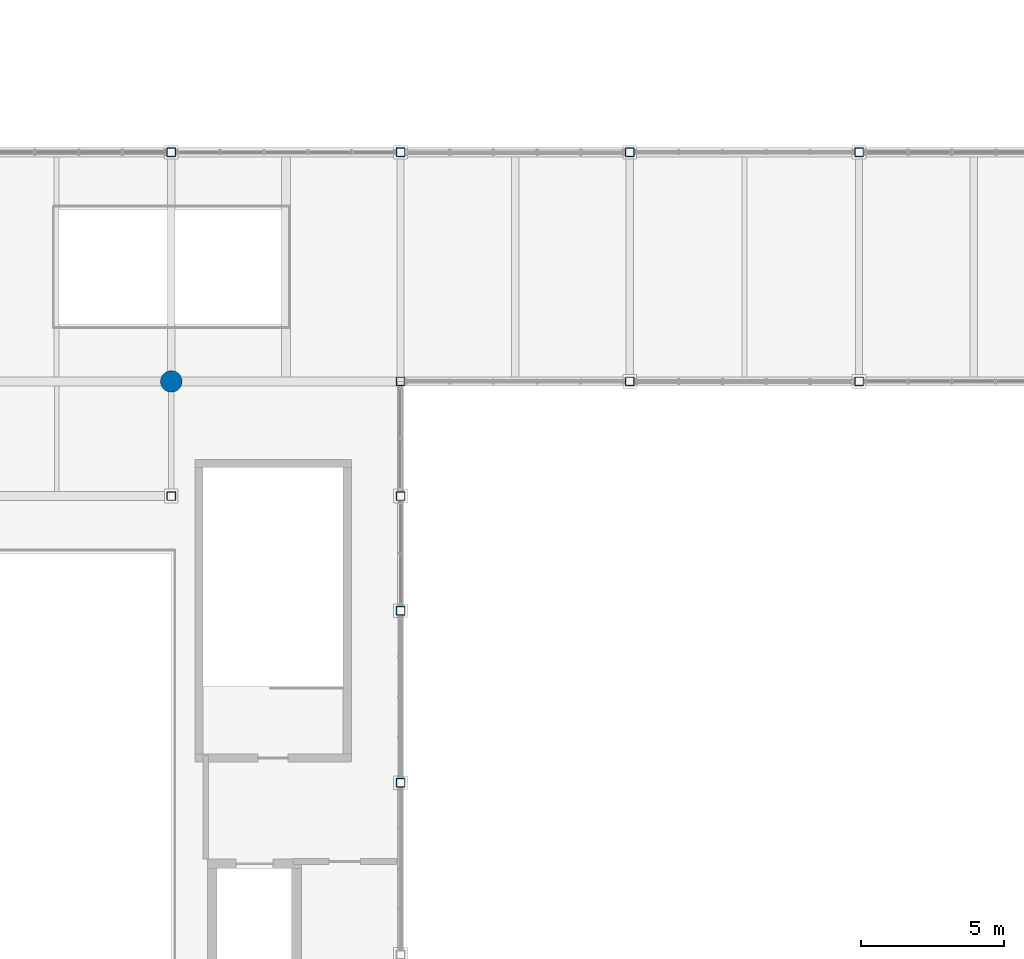
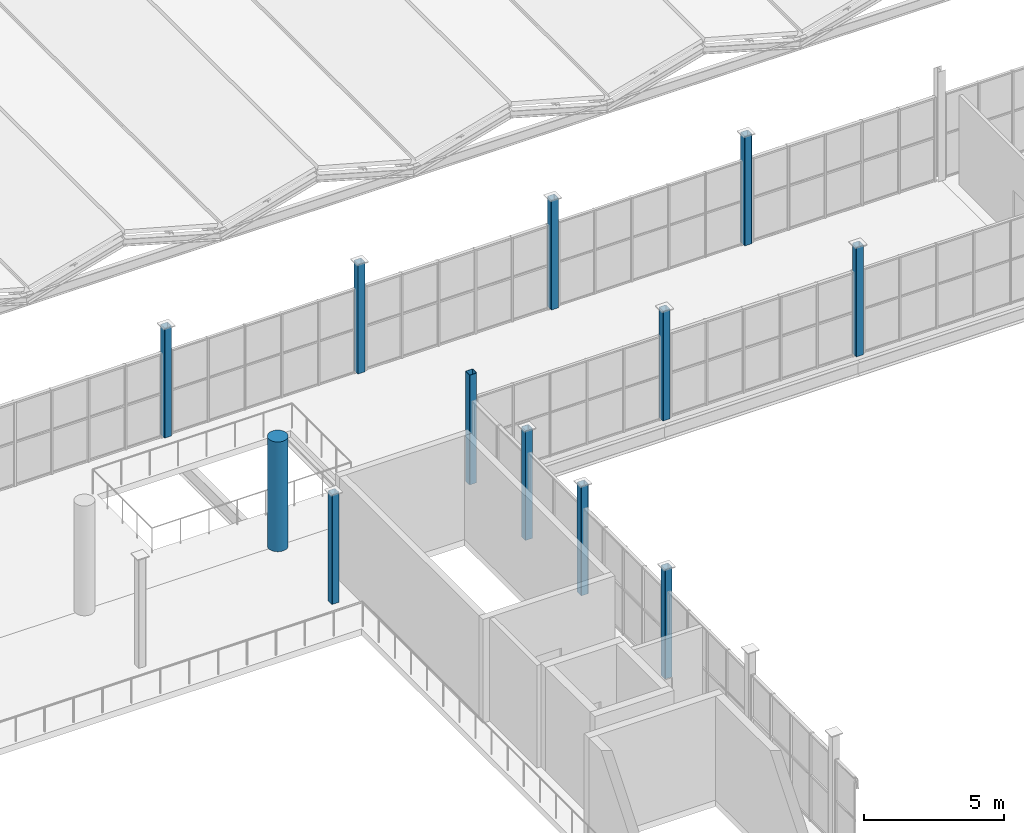
# One storey, part 8 of 114: 12 columns.
"""IFC4 building model written with IfcOpenShell, lengths in metres."""

from ifc_helpers import new_model, si_unit, direction, frame, origin, origin_2d, place, context, subcontext, project, spatial, hollow_rectangle, circle, extrude, material, material_profile, profile_set, type_object, element, save


model = new_model("IFC4")

# Units and contexts
model_context = context("Model", 3, precision=1e-05, world=origin(), true_north=direction((0.0, 1.0)))
body_context = subcontext(model_context, "Body", "Model", "MODEL_VIEW")
ifc_project = project(units=[si_unit("LENGTHUNIT", "METRE"), si_unit("AREAUNIT", "SQUARE_METRE"), si_unit("VOLUMEUNIT", "CUBIC_METRE"), si_unit("PLANEANGLEUNIT", "RADIAN"), si_unit("MASSUNIT", "GRAM", prefix="KILO")], contexts=[model_context])

# Site, building, storey
site_placement = place(None, origin())
site = spatial("IfcSite", under=ifc_project, at=site_placement, CompositionType="ELEMENT")
building_placement = place(site_placement, origin())
building = spatial("IfcBuilding", under=site, at=building_placement, Name="Verrall Gate Interchange", CompositionType="ELEMENT")
storey_placement = place(building_placement, frame((0.0, 0.0, 6.60009765625)))
storey = spatial("IfcBuildingStorey", under=building, at=storey_placement, Name="L02", CompositionType="ELEMENT", Elevation=6.60009765625)

# Columns
ifc_material_1 = material(Name="Concrete CSA A23.1 40 MPa (Class N)", Category="concrete")
ifc_material_profile_1 = material_profile(ifc_material_1, circle(Radius=0.375, at=origin_2d()), Name="RC750D")
ifc_profile_set_1 = profile_set([ifc_material_profile_1], Name="Concrete CSA A23.1 40 MPa (Class N)")
column_type_1 = type_object("IfcColumnType", Name="C-07 Column RC750D", PredefinedType="COLUMN", material=ifc_profile_set_1)
column_placement = place(storey_placement, frame((100.0, 48.0, 0.0), z_axis=(0.0, 0.0, 1.0), x_axis=(1.0, 0.0, 0.0)))
element("IfcColumn", 1, at=column_placement, inside=storey, type_object=column_type_1, Name="L02 Column COL-L02-1115 (C-07)", PredefinedType="COLUMN", context=body_context, shape_type="SweptSolid", body=[
    extrude(circle(Radius=0.375, at=origin_2d()), origin(), (0.0, 0.0, 1.0), 4.7998046875),
])
ifc_material_2 = material(Name="Structural Steel CSA G40.21 350WT Cat 4", Category="steel")
ifc_material_profile_2 = material_profile(ifc_material_2, hollow_rectangle(XDim=0.304931640625, YDim=0.304931640625, WallThickness=0.0126953125, InnerFilletRadius=0.0126953125, OuterFilletRadius=0.025390625, at=origin_2d()), Name="HSS305x305x13")
ifc_profile_set_2 = profile_set([ifc_material_profile_2], Name="Structural Steel CSA G40.21 350WT Cat 4")
column_type_2 = type_object("IfcColumnType", Name="C-12 Column HSS305x305x13", PredefinedType="COLUMN", material=ifc_profile_set_2)
for number, where, z_axis, x_axis, name in (
    (2, (100.0, 44.0, 0.0), (0.0, 0.0, 1.0), (1.0, 0.0, 0.0), "L02 Column COL-L02-1111 (C-12)"),
    (3, (100.0, 56.0, 0.0), (0.0, 0.0, 1.0), (1.0, 0.0, 0.0), "L02 Column COL-L02-1119 (C-12)"),
    (4, (108.0, 34.0, 0.0), (0.0, 0.0, 1.0), (1.0, 0.0, 0.0), "L02 Column COL-L02-1149 (C-12)"),
    (5, (108.0, 40.0, 0.0), (0.0, 0.0, 1.0), (1.0, 0.0, 0.0), "L02 Column COL-L02-1153 (C-12)"),
    (6, (108.0, 44.0, 0.0), (0.0, 0.0, 1.0), (1.0, 0.0, 0.0), "L02 Column COL-L02-1157 (C-12)"),
    (7, (108.0, 48.0, 0.0), (0.0, 0.0, 1.0), (1.0, 0.0, 0.0), "L02 Column COL-L02-1161 (C-12)"),
    (8, (108.0, 56.0, 0.0), (0.0, 0.0, 1.0), (1.0, 0.0, 0.0), "L02 Column COL-L02-1165 (C-12)"),
    (9, (116.0, 48.0, 0.0), (0.0, 0.0, 1.0), (1.0, 0.0, 0.0), "L02 Column COL-L02-1183 (C-12)"),
    (10, (116.0, 56.0, 0.0), (0.0, 0.0, 1.0), (1.0, 0.0, 0.0), "L02 Column COL-L02-1187 (C-12)"),
    (11, (124.0, 48.0, 0.0), (0.0, 0.0, 1.0), (1.0, 0.0, 0.0), "L02 Column COL-L02-1205 (C-12)"),
    (12, (124.0, 56.0, 0.0), (0.0, 0.0, 1.0), (1.0, 0.0, 0.0), "L02 Column COL-L02-1209 (C-12)"),
):
    element("IfcColumn", number, at=place(storey_placement, frame(where, z_axis=z_axis, x_axis=x_axis)), inside=storey, type_object=column_type_2, Name=name, PredefinedType="COLUMN", context=body_context, shape_type="SweptSolid", body=[
        extrude(hollow_rectangle(XDim=0.304931640625, YDim=0.304931640625, WallThickness=0.0126953125, InnerFilletRadius=0.0126953125, OuterFilletRadius=0.025390625, at=origin_2d()), origin(), (0.0, 0.0, 1.0), 4.7998046875),
    ])

save(model, "model.ifc")
